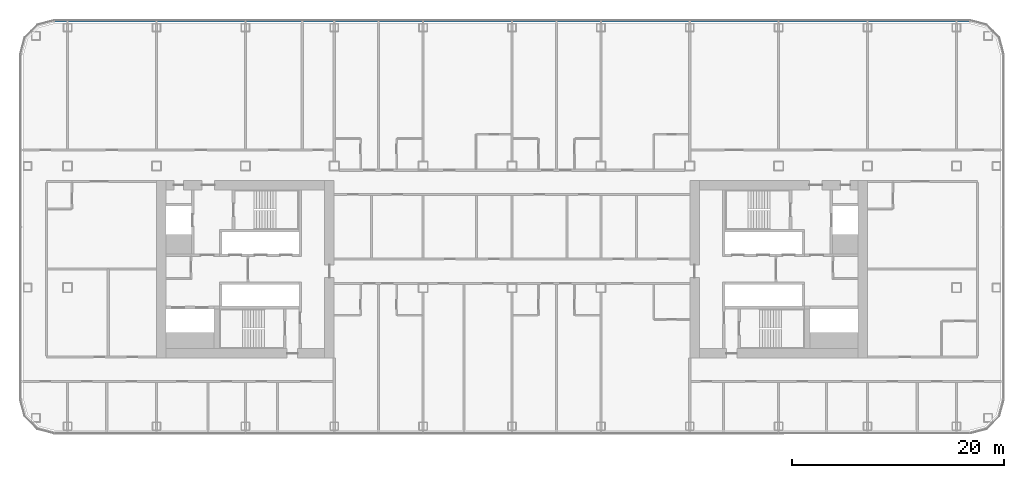
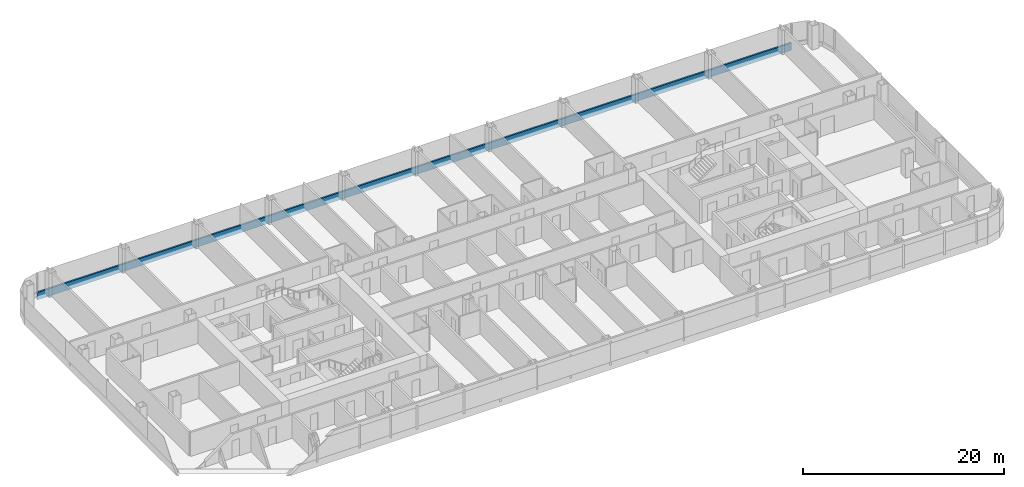
# One storey, part 9 of 29: 1 member, 1 element without a shape of its own.
"""IFC4 building model written with IfcOpenShell, lengths in metres."""

from ifc_helpers import new_model, si_unit, direction, frame, origin, origin_2d, place, context, subcontext, project, spatial, rectangle, extrude, material, layer, layer_set, material_profile, profile_set, type_object, element, aggregate, save


model = new_model("IFC4")

# Units and contexts
model_context = context("Model", 3, precision=1e-05, world=origin(), true_north=direction((0.0, 1.0)))
body_context = subcontext(model_context, "Body", "Model", "MODEL_VIEW")
ifc_project = project(units=[si_unit("LENGTHUNIT", "METRE"), si_unit("AREAUNIT", "SQUARE_METRE"), si_unit("VOLUMEUNIT", "CUBIC_METRE"), si_unit("PLANEANGLEUNIT", "RADIAN"), si_unit("MASSUNIT", "GRAM", prefix="KILO")], contexts=[model_context])

# Site, building, storey
site_placement = place(None, origin())
site = spatial("IfcSite", under=ifc_project, at=site_placement, CompositionType="ELEMENT")
building_placement = place(site_placement, origin())
building = spatial("IfcBuilding", under=site, at=building_placement, Name="Hakoniwa Tower and Hamabe Station Hall", CompositionType="ELEMENT")
storey_placement = place(building_placement, frame((0.0, 0.0, 117.0)))
storey = spatial("IfcBuildingStorey", under=building, at=storey_placement, Name="L33", CompositionType="ELEMENT", Elevation=117.0)

# Curtain wall, member
ifc_material_1 = material(Name="Dark low-e laminated glass", Category="glass")
ifc_layer = layer(ifc_material_1, 0.199951171875)
ifc_layer_set = layer_set([ifc_layer], Name="CW-1 UNITISED GUEST")
curtain_wall_type = type_object("IfcCurtainWallType", Name="CW-1 UNITISED GUEST", PredefinedType="NOTDEFINED", material=ifc_layer_set)
curtain_wall_placement = place(storey_placement, origin())
curtain_wall = element("IfcCurtainWall", 1, at=curtain_wall_placement, inside=storey, type_object=curtain_wall_type, Name="CW-1 curtain wall", PredefinedType="NOTDEFINED")
ifc_material_2 = material(Name="Aluminium 6063-T5 black anodised", Category="aluminium")
ifc_material_profile = material_profile(ifc_material_2, rectangle(XDim=0.199951171875, YDim=0.89990234375, at=origin_2d()), Name="CW SLAB-EDGE BAND 900X200")
ifc_profile_set = profile_set([ifc_material_profile], Name="Aluminium 6063-T5 black anodised")
member_type = type_object("IfcMemberType", Name="CW SLAB-EDGE BAND 900X200", PredefinedType="USERDEFINED", material=ifc_profile_set)
member_placement = place(storey_placement, frame((43.239501953125, 23.449951171875, -0.10009765625), z_axis=(-1.0, 0.0, 0.0), x_axis=(0.0, -1.0, 0.0)))
member = element("IfcMember", 2, at=member_placement, type_object=member_type, Name="CW-1 transom", ObjectType="TRANSOM", PredefinedType="USERDEFINED", context=body_context, shape_type="SweptSolid", body=[
    extrude(rectangle(XDim=0.199951171875, YDim=0.89990234375, at=origin_2d()), origin(), (0.0, 0.0, 1.0), 86.47900390625),
])
aggregate(curtain_wall, [member])

save(model, "model.ifc")
